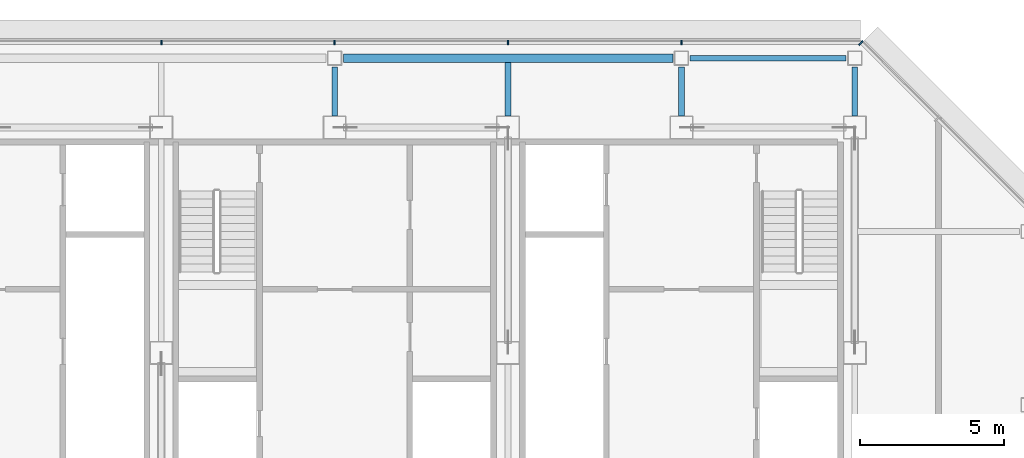
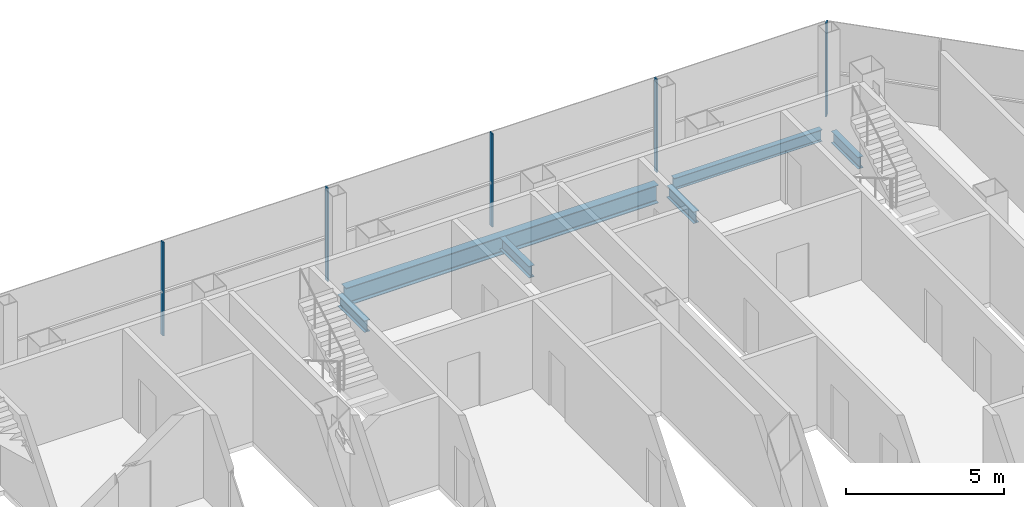
# One storey, part 16 of 28: 6 beams, 5 members, 2 elements without a shape of their own.
"""IFC4 building model written with IfcOpenShell, lengths in metres."""

from ifc_helpers import new_model, si_unit, direction, frame, origin, origin_2d, place, context, subcontext, project, spatial, rectangle, i_section, extrude, material, material_profile, profile_set, type_object, element, aggregate, save


model = new_model("IFC4")

# Units and contexts
model_context = context("Model", 3, precision=1e-05, world=origin(), true_north=direction((0.0, 1.0)))
body_context = subcontext(model_context, "Body", "Model", "MODEL_VIEW")
ifc_project = project(units=[si_unit("LENGTHUNIT", "METRE"), si_unit("AREAUNIT", "SQUARE_METRE"), si_unit("VOLUMEUNIT", "CUBIC_METRE"), si_unit("PLANEANGLEUNIT", "RADIAN"), si_unit("MASSUNIT", "GRAM", prefix="KILO")], contexts=[model_context])

# Site, building, storey
site_placement = place(None, origin())
site = spatial("IfcSite", under=ifc_project, at=site_placement, CompositionType="ELEMENT")
building_placement = place(site_placement, origin())
building = spatial("IfcBuilding", under=site, at=building_placement, Name="Sorahane Residences", CompositionType="ELEMENT")
storey_placement = place(building_placement, frame((0.0, 0.0, 301.60009765625)))
storey = spatial("IfcBuildingStorey", under=building, at=storey_placement, Name="L71", CompositionType="ELEMENT", Elevation=301.60009765625)

# Curtain wall, members
ifc_material_1 = material(Name="Dark low-e glass and black anodised aluminium", Category="aluminium")
curtain_wall_type_1 = type_object("IfcCurtainWallType", Name="Curtain wall CW-1 Typical unitised wall", PredefinedType="NOTDEFINED", material=ifc_material_1)
curtain_wall_1_placement = place(storey_placement, origin())
curtain_wall_1 = element("IfcCurtainWall", 1, at=curtain_wall_1_placement, inside=storey, type_object=curtain_wall_type_1, Name="CW-1 curtain wall L71 N1", PredefinedType="NOTDEFINED")
ifc_material_2 = material(Name="Black anodised aluminium", Category="aluminium")
ifc_material_profile_1 = material_profile(ifc_material_2, rectangle(XDim=0.159912109375, YDim=0.050048828125, at=origin_2d()), Name="Curtain wall mullion CW-1 black anodised aluminium 50x160")
ifc_profile_set_1 = profile_set([ifc_material_profile_1], Name="Black anodised aluminium")
member_type_1 = type_object("IfcMemberType", Name="Curtain wall mullion CW-1 black anodised aluminium 50x160", PredefinedType="MULLION", material=ifc_profile_set_1)
member_1_placement = place(storey_placement, frame((36.0, 48.5400390625, -0.18017578125), z_axis=(0.0, 0.0, 1.0), x_axis=(0.0, 1.0, 0.0)))
member_1 = element("IfcMember", 2, at=member_1_placement, type_object=member_type_1, Name="CW-1 mullion L71 N1.2", PredefinedType="MULLION", context=body_context, shape_type="SweptSolid", body=[
    extrude(rectangle(XDim=0.159912109375, YDim=0.050048828125, at=origin_2d()), origin(), (0.0, 0.0, 1.0), 3.60009765625),
])
member_2_placement = place(storey_placement, frame((30.0, 48.5400390625, -0.18017578125), z_axis=(0.0, 0.0, 1.0), x_axis=(0.0, 1.0, 0.0)))
member_2 = element("IfcMember", 3, at=member_2_placement, type_object=member_type_1, Name="CW-1 mullion L71 N1.3", PredefinedType="MULLION", context=body_context, shape_type="SweptSolid", body=[
    extrude(rectangle(XDim=0.159912109375, YDim=0.050048828125, at=origin_2d()), origin(), (0.0, 0.0, 1.0), 3.60009765625),
])
member_3_placement = place(storey_placement, frame((24.0, 48.5400390625, -0.18017578125), z_axis=(0.0, 0.0, 1.0), x_axis=(0.0, 1.0, 0.0)))
member_3 = element("IfcMember", 4, at=member_3_placement, type_object=member_type_1, Name="CW-1 mullion L71 N1.4", PredefinedType="MULLION", context=body_context, shape_type="SweptSolid", body=[
    extrude(rectangle(XDim=0.159912109375, YDim=0.050048828125, at=origin_2d()), origin(), (0.0, 0.0, 1.0), 3.60009765625),
])
member_4_placement = place(storey_placement, frame((18.0, 48.5400390625, -0.18017578125), z_axis=(0.0, 0.0, 1.0), x_axis=(0.0, 1.0, 0.0)))
member_4 = element("IfcMember", 5, at=member_4_placement, type_object=member_type_1, Name="CW-1 mullion L71 N1.5", PredefinedType="MULLION", context=body_context, shape_type="SweptSolid", body=[
    extrude(rectangle(XDim=0.159912109375, YDim=0.050048828125, at=origin_2d()), origin(), (0.0, 0.0, 1.0), 3.60009765625),
])
aggregate(curtain_wall_1, [member_1, member_2, member_3, member_4])

# Curtain wall, member
ifc_material_3 = material(Name="Dark low-e glass and black anodised aluminium", Category="aluminium")
curtain_wall_type_2 = type_object("IfcCurtainWallType", Name="Curtain wall CW-2 Chamfer unitised wall", PredefinedType="NOTDEFINED", material=ifc_material_3)
curtain_wall_2_placement = place(storey_placement, origin())
curtain_wall_2 = element("IfcCurtainWall", 6, at=curtain_wall_2_placement, inside=storey, type_object=curtain_wall_type_2, Name="CW-2 curtain wall L71 NE1", PredefinedType="NOTDEFINED")
ifc_material_4 = material(Name="Black anodised aluminium", Category="aluminium")
ifc_material_profile_2 = material_profile(ifc_material_4, rectangle(XDim=0.199951171875, YDim=0.050048828125, at=origin_2d()), Name="Curtain wall mullion CW-2 black anodised aluminium 50x200")
ifc_profile_set_2 = profile_set([ifc_material_profile_2], Name="Black anodised aluminium")
member_type_2 = type_object("IfcMemberType", Name="Curtain wall mullion CW-2 black anodised aluminium 50x200", PredefinedType="MULLION", material=ifc_profile_set_2)
member_5_placement = place(storey_placement, frame((42.209716796875, 48.525634765625, -0.18017578125), z_axis=(0.0, 0.0, 1.0), x_axis=(0.707106781187, 0.707106781187, 0.0)))
member_5 = element("IfcMember", 7, at=member_5_placement, type_object=member_type_2, Name="CW-2 mullion L71 NE1.3", PredefinedType="MULLION", context=body_context, shape_type="SweptSolid", body=[
    extrude(rectangle(XDim=0.199951171875, YDim=0.050048828125, at=origin_2d()), origin(), (0.0, 0.0, 1.0), 3.60009765625),
])
aggregate(curtain_wall_2, [member_5])

# Beams
ifc_material_5 = material(Name="Steel Q355B", Category="steel")
ifc_material_profile_3 = material_profile(ifc_material_5, i_section(OverallWidth=0.199951171875, OverallDepth=0.449951171875, WebThickness=0.009033203125, FlangeThickness=0.013916015625, FilletRadius=0.02001953125, at=origin_2d()), Name="HN 450x200x9x14")
ifc_profile_set_3 = profile_set([ifc_material_profile_3], Name="Steel Q355B")
beam_type_1 = type_object("IfcBeamType", Name="Steel floor beam HN 450x200x9x14 Q355B", PredefinedType="BEAM", material=ifc_profile_set_3)
beam_1_placement = place(storey_placement, frame((36.300048828125, 48.0, -0.405029296875), z_axis=(1.0, 0.0, 0.0), x_axis=(0.0, 1.0, 0.0)))
element("IfcBeam", 8, at=beam_1_placement, inside=storey, type_object=beam_type_1, Name="Beam L71 019", PredefinedType="BEAM", context=body_context, shape_type="SweptSolid", body=[
    extrude(i_section(OverallWidth=0.199951171875, OverallDepth=0.449951171875, WebThickness=0.009033203125, FlangeThickness=0.013916015625, FilletRadius=0.02001953125, at=origin_2d()), origin(), (0.0, 0.0, 1.0), 5.39990234375),
])
beam_2_placement = place(storey_placement, frame((24.0, 46.0, -0.405029296875), z_axis=(0.0, 1.0, 0.0), x_axis=(-1.0, 0.0, 0.0)))
element("IfcBeam", 9, at=beam_2_placement, inside=storey, type_object=beam_type_1, Name="Beam L71 047", PredefinedType="BEAM", context=body_context, shape_type="SweptSolid", body=[
    extrude(i_section(OverallWidth=0.199951171875, OverallDepth=0.449951171875, WebThickness=0.009033203125, FlangeThickness=0.013916015625, FilletRadius=0.02001953125, at=origin_2d()), origin(), (0.0, 0.0, 1.0), 1.699951171875),
])
beam_3_placement = place(storey_placement, frame((30.0, 46.0, -0.405029296875), z_axis=(0.0, 1.0, 0.0), x_axis=(-1.0, 0.0, 0.0)))
element("IfcBeam", 10, at=beam_3_placement, inside=storey, type_object=beam_type_1, Name="Beam L71 053", PredefinedType="BEAM", context=body_context, shape_type="SweptSolid", body=[
    extrude(i_section(OverallWidth=0.199951171875, OverallDepth=0.449951171875, WebThickness=0.009033203125, FlangeThickness=0.013916015625, FilletRadius=0.02001953125, at=origin_2d()), origin(), (0.0, 0.0, 1.0), 1.85009765625),
])
for number, where, z_axis, x_axis, name in (
    (11, (36.0, 46.0, -0.405029296875), (0.0, 1.0, 0.0), (-1.0, 0.0, 0.0), "Beam L71 055"),
    (12, (42.0, 46.0, -0.405029296875), (0.0, 1.0, 0.0), (-1.0, 0.0, 0.0), "Beam L71 061"),
):
    element("IfcBeam", number, at=place(storey_placement, frame(where, z_axis=z_axis, x_axis=x_axis)), inside=storey, type_object=beam_type_1, Name=name, PredefinedType="BEAM", context=body_context, shape_type="SweptSolid", body=[
        extrude(i_section(OverallWidth=0.199951171875, OverallDepth=0.449951171875, WebThickness=0.009033203125, FlangeThickness=0.013916015625, FilletRadius=0.02001953125, at=origin_2d()), origin(), (0.0, 0.0, 1.0), 1.699951171875),
    ])
ifc_material_6 = material(Name="Steel Q355B", Category="steel")
ifc_material_profile_4 = material_profile(ifc_material_6, i_section(OverallWidth=0.300048828125, OverallDepth=0.699951171875, WebThickness=0.012939453125, FlangeThickness=0.02392578125, FilletRadius=0.028076171875, at=origin_2d()), Name="HN 700x300x13x24")
ifc_profile_set_4 = profile_set([ifc_material_profile_4], Name="Steel Q355B")
beam_type_2 = type_object("IfcBeamType", Name="Steel floor beam HN 700x300x13x24 Q355B", PredefinedType="BEAM", material=ifc_profile_set_4)
beam_4_placement = place(storey_placement, frame((24.300048828125, 48.0, -0.530029296875), z_axis=(1.0, 0.0, 0.0), x_axis=(0.0, 1.0, 0.0)))
element("IfcBeam", 13, at=beam_4_placement, inside=storey, type_object=beam_type_2, Name="Beam L71 018", PredefinedType="BEAM", context=body_context, shape_type="SweptSolid", body=[
    extrude(i_section(OverallWidth=0.300048828125, OverallDepth=0.699951171875, WebThickness=0.012939453125, FlangeThickness=0.02392578125, FilletRadius=0.028076171875, at=origin_2d()), origin(), (0.0, 0.0, 1.0), 11.39990234375),
])

save(model, "model.ifc")
